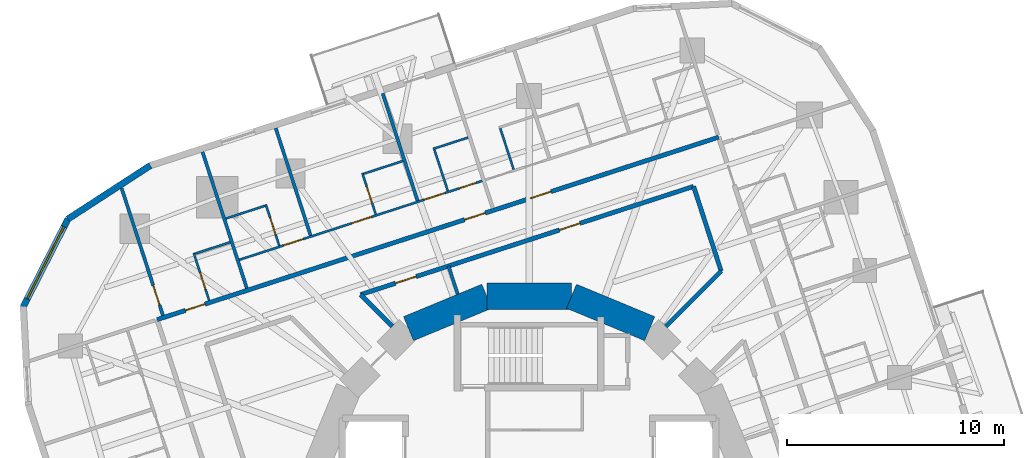
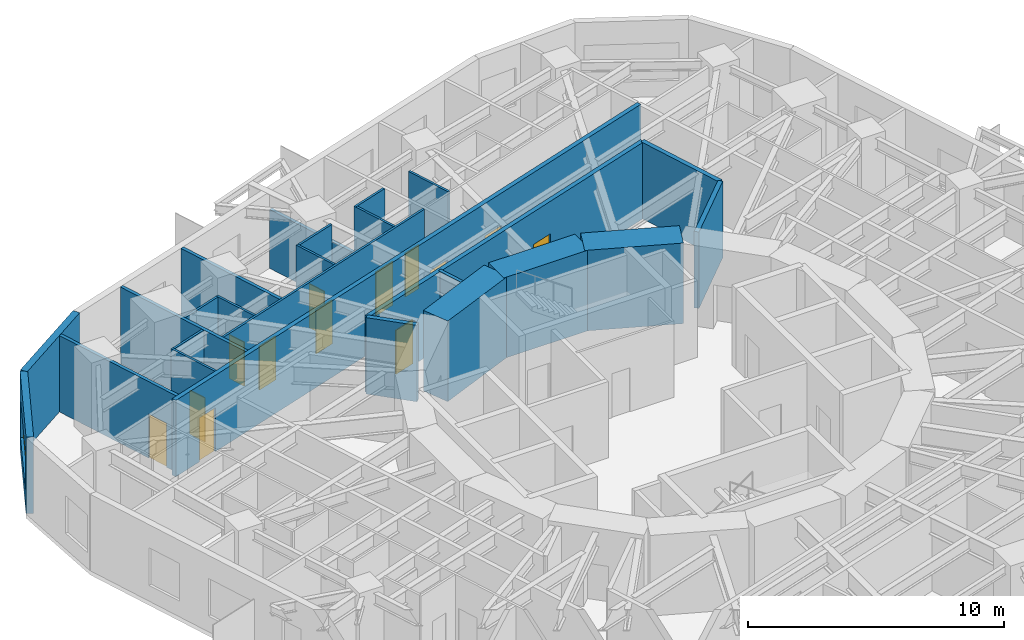
# One storey, part 9 of 13: 25 walls, 13 doors, 1 window, 14 openings.
"""IFC4 building model written with IfcOpenShell, lengths in metres."""

import ifcopenshell
import ifcopenshell.guid

model = None  # the IFC model being written
_history = None  # IfcOwnerHistory: only IFC2X3 demands one
_inside = {}  # id of a spatial element -> (the spatial element, [elements in it])
_under = {}  # id of a project, library or spatial element -> (it, [spatial elements below it])
_declared = {}  # id of a project -> (the project, [libraries it declares])
_typed = {}  # id of a type object -> (the type object, [elements of that type])
_made_of = {}  # id of a material, layer set ... -> (it, [elements and type objects made of it])


def new_model(schema):
    """Start an empty IFC model of exactly this schema.

    Asked for "IFC4X3", IfcOpenShell would pick the latest addendum, in which some entities
    have other attributes; the version numbers below select the first issue.
    IFC2X3 requires an IfcOwnerHistory on every rooted entity: one is made here for all.
    """
    global model, _history
    if schema == "IFC4X3":
        model = ifcopenshell.file(schema_version=(4, 3, 0, 0))
    else:
        model = ifcopenshell.file(schema=schema)
    _inside.clear()
    _under.clear()
    _declared.clear()
    _typed.clear()
    _made_of.clear()
    _history = None
    if model.schema == "IFC2X3":
        org = make("IfcOrganization", Name="unknown")
        user = make(
            "IfcPersonAndOrganization",
            ThePerson=make("IfcPerson", FamilyName="unknown"),
            TheOrganization=org,
        )
        app = make(
            "IfcApplication",
            ApplicationDeveloper=org,
            Version="unknown",
            ApplicationFullName="unknown",
            ApplicationIdentifier="unknown",
        )
        _history = make(
            "IfcOwnerHistory",
            OwningUser=user,
            OwningApplication=app,
            ChangeAction="ADDED",
            CreationDate=0,
        )
    return model


def make(cls, **values):
    """One entity of the class cls with the attributes given. An attribute that is None is left unset."""
    return model.create_entity(
        cls, **{name: value for name, value in values.items() if value is not None}
    )


def rooted(cls, **values):
    """An entity with a GlobalId (a new one), such as an element, a storey or a relation."""
    return make(cls, GlobalId=ifcopenshell.guid.new(), OwnerHistory=_history, **values)


def si_unit(unit_type, name, prefix=None):
    """IfcSIUnit, for example si_unit("LENGTHUNIT", "METRE", prefix="MILLI")."""
    return make("IfcSIUnit", UnitType=unit_type, Prefix=prefix, Name=name)


def assignment(units):
    """IfcUnitAssignment: the units of a project."""
    return None if units is None else make("IfcUnitAssignment", Units=units)


def point(xyz):
    """IfcCartesianPoint."""
    return None if xyz is None else make("IfcCartesianPoint", Coordinates=xyz)


def direction(xyz):
    """IfcDirection."""
    return None if xyz is None else make("IfcDirection", DirectionRatios=xyz)


def frame(location, z_axis=None, x_axis=None):
    """IfcAxis2Placement3D, a coordinate frame: its origin and axes. An axis left out is left unset."""
    return make(
        "IfcAxis2Placement3D",
        Location=point(location),
        Axis=direction(z_axis),
        RefDirection=direction(x_axis),
    )


def frame_2d(location, x_axis=None):
    """IfcAxis2Placement2D, a coordinate frame in the plane: its origin and x axis."""
    return make(
        "IfcAxis2Placement2D", Location=point(location), RefDirection=direction(x_axis)
    )


def origin():
    """The frame at (0, 0, 0) with its axes left unset."""
    return frame((0.0, 0.0, 0.0))


def place(relative_to, where):
    """IfcLocalPlacement: puts the frame where relative to a parent placement (None: the world)."""
    return make(
        "IfcLocalPlacement", PlacementRelTo=relative_to, RelativePlacement=where
    )


def context(
    kind, dimensions, precision=None, world=None, true_north=None, identifier=None
):
    """IfcGeometricRepresentationContext, for example the 3D "Model" context."""
    return make(
        "IfcGeometricRepresentationContext",
        ContextIdentifier=identifier,
        ContextType=kind,
        CoordinateSpaceDimension=dimensions,
        Precision=precision,
        WorldCoordinateSystem=world,
        TrueNorth=true_north,
    )


def subcontext(parent, identifier, kind, view, scale=None):
    """IfcGeometricRepresentationSubContext, for example "Body" below "Model"."""
    return make(
        "IfcGeometricRepresentationSubContext",
        ContextIdentifier=identifier,
        ContextType=kind,
        ParentContext=parent,
        TargetScale=scale,
        TargetView=view,
    )


def project(units=None, contexts=None):
    """IfcProject with its units and contexts."""
    return rooted(
        "IfcProject",
        Name="project",
        RepresentationContexts=contexts,
        UnitsInContext=assignment(units),
    )


def spatial(cls, under=None, at=None, **own):
    """A site, building, storey or space (cls), placed at a placement, below another one or the project."""
    s = rooted(cls, ObjectPlacement=at, **own)
    if under is not None:
        _under.setdefault(under.id(), (under, []))[1].append(s)
    return s


def profile(cls, at=None, kind="AREA", **sizes):
    """A parametric profile (cls). Its sizes go by their IFC names, for example OverallWidth=200.0."""
    return make(cls, ProfileType=kind, Position=at, **sizes)


def rectangle(**sizes):
    """IfcRectangleProfileDef."""
    return profile("IfcRectangleProfileDef", **sizes)


def extrude(swept, where, along, depth):
    """IfcExtrudedAreaSolid: the profile swept, set in the frame where, extruded along a direction by depth."""
    return make(
        "IfcExtrudedAreaSolid",
        SweptArea=swept,
        Position=where,
        ExtrudedDirection=direction(along),
        Depth=depth,
    )


def shape(context_of_items, identifier, shape_type, items):
    """IfcShapeRepresentation: the items that make up one representation, for example the "Body"."""
    return make(
        "IfcShapeRepresentation",
        ContextOfItems=context_of_items,
        RepresentationIdentifier=identifier,
        RepresentationType=shape_type,
        Items=items,
    )


def material(Name=None, Category=None):
    """IfcMaterial."""
    return make("IfcMaterial", Name=Name, Category=Category)


def layer(
    of_material, thickness, ventilated=None, Name=None, Category=None, Priority=None
):
    """IfcMaterialLayer: one layer of a wall or slab, of a material (None: an air gap)."""
    return make(
        "IfcMaterialLayer",
        Material=of_material,
        LayerThickness=thickness,
        IsVentilated=ventilated,
        Name=Name,
        Category=Category,
        Priority=Priority,
    )


def layer_set(layers, Name=None):
    """IfcMaterialLayerSet."""
    return make("IfcMaterialLayerSet", MaterialLayers=layers, LayerSetName=Name)


def made_of(thing, what):
    """Note that an element or type object is made of a material, layer set ...; save() writes the relation."""
    if what is not None:
        _made_of.setdefault(what.id(), (what, []))[1].append(thing)
    return thing


def type_object(cls, material=None, **own):
    """A type object (cls), such as IfcWallType, which elements share."""
    return made_of(rooted(cls, **own), material)


def element(
    cls,
    number,
    at=None,
    inside=None,
    cuts=None,
    type_object=None,
    material=None,
    context=None,
    identifier="Body",
    shape_type=None,
    held_by="IfcProductDefinitionShape",
    body=None,
    shapes=None,
    **own,
):
    """One element of the class cls, such as IfcWall. Its Tag is "e" and its number.

    at: its placement. inside: the storey or other place that contains it. cuts: it is an
    opening in that element (IfcRelVoidsElement). A single representation is given by context,
    identifier, shape_type and body (its items); several are given by shapes. held_by: the class
    of the entity that holds the representations. save() writes the other relations.
    """
    e = rooted(cls, Tag="e%d" % number, ObjectPlacement=at, **own)
    if body is not None:
        shapes = [shape(context, identifier, shape_type, body)]
    if shapes is not None:
        e.Representation = make(held_by, Representations=shapes)
    if inside is not None:
        _inside.setdefault(inside.id(), (inside, []))[1].append(e)
    if cuts is not None:
        rooted(
            "IfcRelVoidsElement", RelatingBuildingElement=cuts, RelatedOpeningElement=e
        )
    if type_object is not None:
        _typed.setdefault(type_object.id(), (type_object, []))[1].append(e)
    return made_of(e, material)


def fill(opening, filler):
    """IfcRelFillsElement: the door or window that sits in an opening."""
    return rooted(
        "IfcRelFillsElement",
        RelatingOpeningElement=opening,
        RelatedBuildingElement=filler,
    )


def aggregate(whole, parts):
    """IfcRelAggregates: a whole, such as a stair, and the parts it consists of."""
    return rooted("IfcRelAggregates", RelatingObject=whole, RelatedObjects=parts)


def save(model, path):
    """Write the relations noted so far, then the file.

    IfcRelAggregates (storeys below a building ...), IfcRelContainedInSpatialStructure (elements
    in a storey), IfcRelDefinesByType, IfcRelAssociatesMaterial and IfcRelDeclares: one each for
    every whole, place, type object, material and project.
    """
    for whole, parts in _under.values():
        aggregate(whole, parts)
    for where, things in _inside.values():
        rooted(
            "IfcRelContainedInSpatialStructure",
            RelatedElements=things,
            RelatingStructure=where,
        )
    for kind, things in _typed.values():
        rooted("IfcRelDefinesByType", RelatedObjects=things, RelatingType=kind)
    for what, things in _made_of.values():
        rooted("IfcRelAssociatesMaterial", RelatedObjects=things, RelatingMaterial=what)
    for by, libraries in _declared.values():
        rooted("IfcRelDeclares", RelatingContext=by, RelatedDefinitions=libraries)
    model.write(path)


model = new_model("IFC4")

# Units and contexts
model_context = context("Model", 3, precision=1e-05, world=origin(), true_north=direction((0.0, 1.0)))
body_context = subcontext(model_context, "Body", "Model", "MODEL_VIEW")
ifc_project = project(units=[si_unit("LENGTHUNIT", "METRE"), si_unit("AREAUNIT", "SQUARE_METRE"), si_unit("VOLUMEUNIT", "CUBIC_METRE"), si_unit("PLANEANGLEUNIT", "RADIAN"), si_unit("MASSUNIT", "GRAM", prefix="KILO")], contexts=[model_context])

# Site, building, storey
site_placement = place(None, origin())
site = spatial("IfcSite", under=ifc_project, at=site_placement, CompositionType="ELEMENT")
building_placement = place(site_placement, origin())
building = spatial("IfcBuilding", under=site, at=building_placement, Name="Nakasero Lantern House", CompositionType="ELEMENT")
storey_placement = place(building_placement, frame((0.0, 0.0, 164.89990234375)))
storey = spatial("IfcBuildingStorey", under=building, at=storey_placement, Name="L40", CompositionType="ELEMENT", Elevation=164.89990234375)

# Wall, openings, doors
ifc_material_1 = material(Name="Blockwork", Category="masonry")
ifc_layer_1 = layer(ifc_material_1, 0.10009765625)
ifc_layer_set_1 = layer_set([ifc_layer_1], Name="Cluster hall wall 100")
wall_type_1 = type_object("IfcWallType", Name="Cluster hall wall 100", PredefinedType="PARTITIONING", material=ifc_layer_set_1)
wall_1_placement = place(storey_placement, frame((-2.161865234375, 15.1220703125, 0.0), z_axis=(0.0, 0.0, 1.0), x_axis=(-0.9510590769, -0.309009113534, 0.0)))
wall_1 = element("IfcWall", 1, at=wall_1_placement, inside=storey, type_object=wall_type_1, Name="Cluster hall wall L40 HW1-1", PredefinedType="PARTITIONING", context=body_context, shape_type="SweptSolid", body=[
    extrude(rectangle(XDim=11.76416015625, YDim=0.10009765625, at=frame_2d((5.882080078125, 0.0))), origin(), (0.0, 0.0, 1.0), 3.650146484375),
])
opening_1_placement = place(wall_1_placement, frame((1.81396484375, 0.0, 0.0)))
opening_1 = element("IfcOpeningElement", 2, at=opening_1_placement, cuts=wall_1, Name="Opening D03", PredefinedType="OPENING", context=body_context, shape_type="SweptSolid", body=[
    extrude(rectangle(XDim=1.0, YDim=2.10009765625, at=frame_2d((0.5, 1.050048828125))), frame((0.0, 0.070068359375, 0.0), z_axis=(0.0, -1.0, 0.0), x_axis=(1.0, 0.0, 0.0)), (0.0, 0.0, 1.0), 0.14013671875),
])
opening_2_placement = place(wall_1_placement, frame((0.300048828125, 0.0, 0.0)))
opening_2 = element("IfcOpeningElement", 3, at=opening_2_placement, cuts=wall_1, Name="Opening D02", PredefinedType="OPENING", context=body_context, shape_type="SweptSolid", body=[
    extrude(rectangle(XDim=0.800048828125, YDim=2.10009765625, at=frame_2d((0.39990234375, 1.050048828125))), frame((0.0, 0.070068359375, 0.0), z_axis=(0.0, -1.0, 0.0), x_axis=(1.0, 0.0, 0.0)), (0.0, 0.0, 1.0), 0.14013671875),
])
opening_3_placement = place(wall_1_placement, frame((5.364013671875, 0.0, 0.0)))
opening_3 = element("IfcOpeningElement", 4, at=opening_3_placement, cuts=wall_1, Name="Opening D01", PredefinedType="OPENING", context=body_context, shape_type="SweptSolid", body=[
    extrude(rectangle(XDim=0.949951171875, YDim=2.10009765625, at=frame_2d((0.47509765625, 1.050048828125))), frame((0.0, 0.070068359375, 0.0), z_axis=(0.0, -1.0, 0.0), x_axis=(1.0, 0.0, 0.0)), (0.0, 0.0, 1.0), 0.14013671875),
])
opening_4_placement = place(wall_1_placement, frame((8.670166015625, 0.0, 0.0)))
opening_4 = element("IfcOpeningElement", 5, at=opening_4_placement, cuts=wall_1, Name="Opening D01", PredefinedType="OPENING", context=body_context, shape_type="SweptSolid", body=[
    extrude(rectangle(XDim=0.949951171875, YDim=2.10009765625, at=frame_2d((0.47509765625, 1.050048828125))), frame((0.0, 0.070068359375, 0.0), z_axis=(0.0, -1.0, 0.0), x_axis=(1.0, 0.0, 0.0)), (0.0, 0.0, 1.0), 0.14013671875),
])
ifc_material_2 = material(Name="Timber C24", Category="wood")
door_type_1 = type_object("IfcDoorType", Name="Bedroom door FD30S 950", OperationType="SINGLE_SWING_LEFT", PredefinedType="DOOR", material=ifc_material_2)
door_1_placement = place(opening_3_placement, origin())
door_1 = element("IfcDoor", 6, at=door_1_placement, inside=storey, type_object=door_type_1, Name="Door L40 D1-04", OperationType="SINGLE_SWING_LEFT", OverallHeight=2.10009765625, OverallWidth=0.949951171875, PredefinedType="DOOR", context=body_context, shape_type="SweptSolid", body=[
    extrude(rectangle(XDim=0.949951171875, YDim=2.10009765625, at=frame_2d((0.47509765625, 1.050048828125))), frame((0.0, 0.02490234375, 0.0), z_axis=(0.0, -1.0, 0.0), x_axis=(1.0, 0.0, 0.0)), (0.0, 0.0, 1.0), 0.050048828125),
])
fill(opening_3, door_1)
door_2_placement = place(opening_4_placement, origin())
door_2 = element("IfcDoor", 7, at=door_2_placement, inside=storey, type_object=door_type_1, Name="Door L40 D1-05", OperationType="SINGLE_SWING_RIGHT", OverallHeight=2.10009765625, OverallWidth=0.949951171875, PredefinedType="DOOR", context=body_context, shape_type="SweptSolid", body=[
    extrude(rectangle(XDim=0.949951171875, YDim=2.10009765625, at=frame_2d((0.47509765625, 1.050048828125))), frame((0.0, 0.02490234375, 0.0), z_axis=(0.0, -1.0, 0.0), x_axis=(1.0, 0.0, 0.0)), (0.0, 0.0, 1.0), 0.050048828125),
])
fill(opening_4, door_2)
ifc_material_3 = material(Name="Timber C24", Category="wood")
door_type_2 = type_object("IfcDoorType", Name="En-suite door 800", OperationType="SINGLE_SWING_RIGHT", PredefinedType="DOOR", material=ifc_material_3)
door_3_placement = place(opening_2_placement, origin())
door_3 = element("IfcDoor", 8, at=door_3_placement, inside=storey, type_object=door_type_2, Name="Door L40 DSH1-1", OperationType="SINGLE_SWING_LEFT", OverallHeight=2.10009765625, OverallWidth=0.800048828125, PredefinedType="DOOR", context=body_context, shape_type="SweptSolid", body=[
    extrude(rectangle(XDim=0.800048828125, YDim=2.10009765625, at=frame_2d((0.39990234375, 1.050048828125))), frame((0.0, 0.02490234375, 0.0), z_axis=(0.0, -1.0, 0.0), x_axis=(1.0, 0.0, 0.0)), (0.0, 0.0, 1.0), 0.050048828125),
])
fill(opening_2, door_3)
ifc_material_4 = material(Name="Timber C24", Category="wood")
door_type_3 = type_object("IfcDoorType", Name="Lounge door FD30S 1000", OperationType="SINGLE_SWING_LEFT", PredefinedType="DOOR", material=ifc_material_4)
door_4_placement = place(opening_1_placement, origin())
door_4 = element("IfcDoor", 9, at=door_4_placement, inside=storey, type_object=door_type_3, Name="Door L40 DH1-1", OperationType="SINGLE_SWING_LEFT", OverallHeight=2.10009765625, OverallWidth=1.0, PredefinedType="DOOR", context=body_context, shape_type="SweptSolid", body=[
    extrude(rectangle(XDim=1.0, YDim=2.10009765625, at=frame_2d((0.5, 1.050048828125))), frame((0.0, 0.02490234375, 0.0), z_axis=(0.0, -1.0, 0.0), x_axis=(1.0, 0.0, 0.0)), (0.0, 0.0, 1.0), 0.050048828125),
])
fill(opening_1, door_4)

# Walls
ifc_material_5 = material(Name="Concrete C50/60", Category="concrete")
ifc_layer_2 = layer(ifc_material_5, 1.199951171875)
ifc_layer_set_2 = layer_set([ifc_layer_2], Name="Core wall 1200")
wall_type_2 = type_object("IfcWallType", Name="Core wall 1200", PredefinedType="SHEAR", material=ifc_layer_set_2)
for number, where, z_axis, x_axis, name in (
    (10, (5.5556640625, 8.314697265625, 0.0), (0.0, 0.0, 1.0), (-0.923876507187, 0.382690736062, 0.0), "Core wall L40 facet 3"),
    (11, (1.950927734375, 9.807861328125, 0.0), (0.0, 0.0, 1.0), (-1.0, 0.0, 0.0), "Core wall L40 facet 4"),
    (12, (-1.950927734375, 9.807861328125, 0.0), (0.0, 0.0, 1.0), (-0.923876507187, -0.382690736062, 0.0), "Core wall L40 facet 5"),
):
    element("IfcWall", number, at=place(storey_placement, frame(where, z_axis=z_axis, x_axis=x_axis)), inside=storey, type_object=wall_type_2, Name=name, PredefinedType="SHEAR", context=body_context, shape_type="SweptSolid", body=[
        extrude(rectangle(XDim=3.90185546875, YDim=1.199951171875, at=frame_2d((1.950927734375, 0.0))), origin(), (0.0, 0.0, 1.0), 3.85009765625),
    ])

# Wall, openings, doors
ifc_material_6 = material(Name="Blockwork", Category="masonry")
ifc_layer_3 = layer(ifc_material_6, 0.199951171875)
ifc_layer_set_3 = layer_set([ifc_layer_3], Name="Corridor wall 200")
wall_type_3 = type_object("IfcWallType", Name="Corridor wall 200", PredefinedType="PARTITIONING", material=ifc_layer_set_3)
wall_2_placement = place(storey_placement, frame((8.731689453125, 17.136962890625, 0.0), z_axis=(0.0, 0.0, 1.0), x_axis=(-0.951056097323, -0.309018283835, 0.0)))
wall_2 = element("IfcWall", 13, at=wall_2_placement, inside=storey, type_object=wall_type_3, Name="Corridor wall L40 CW1", PredefinedType="PARTITIONING", context=body_context, shape_type="SweptSolid", body=[
    extrude(rectangle(XDim=27.199951171875, YDim=0.199951171875, at=frame_2d((13.60009765625, 0.0))), origin(), (0.0, 0.0, 1.0), 3.650146484375),
])
opening_5_placement = place(wall_2_placement, frame((8.118896484375, 0.0, 0.0)))
opening_5 = element("IfcOpeningElement", 14, at=opening_5_placement, cuts=wall_2, Name="Opening D14", PredefinedType="OPENING", context=body_context, shape_type="SweptSolid", body=[
    extrude(rectangle(XDim=1.0, YDim=2.10009765625, at=frame_2d((0.5, 1.050048828125))), frame((0.0, 0.119873046875, 0.0), z_axis=(0.0, -1.0, 0.0), x_axis=(1.0, 0.0, 0.0)), (0.0, 0.0, 1.0), 0.239990234375),
])
opening_6_placement = place(wall_2_placement, frame((11.30810546875, 0.0, 0.0)))
opening_6 = element("IfcOpeningElement", 15, at=opening_6_placement, cuts=wall_2, Name="Opening D14", PredefinedType="OPENING", context=body_context, shape_type="SweptSolid", body=[
    extrude(rectangle(XDim=1.0, YDim=2.10009765625, at=frame_2d((0.5, 1.050048828125))), frame((0.0, 0.119873046875, 0.0), z_axis=(0.0, -1.0, 0.0), x_axis=(1.0, 0.0, 0.0)), (0.0, 0.0, 1.0), 0.239990234375),
])
opening_7_placement = place(wall_2_placement, frame((24.872314453125, 0.0, 0.0)))
opening_7 = element("IfcOpeningElement", 16, at=opening_7_placement, cuts=wall_2, Name="Opening D01", PredefinedType="OPENING", context=body_context, shape_type="SweptSolid", body=[
    extrude(rectangle(XDim=0.949951171875, YDim=2.10009765625, at=frame_2d((0.47509765625, 1.050048828125))), frame((0.0, 0.119873046875, 0.0), z_axis=(0.0, -1.0, 0.0), x_axis=(1.0, 0.0, 0.0)), (0.0, 0.0, 1.0), 0.239990234375),
])
door_5_placement = place(opening_7_placement, origin())
door_5 = element("IfcDoor", 17, at=door_5_placement, inside=storey, type_object=door_type_1, Name="Door L40 D1-06", OperationType="SINGLE_SWING_RIGHT", OverallHeight=2.10009765625, OverallWidth=0.949951171875, PredefinedType="DOOR", context=body_context, shape_type="SweptSolid", body=[
    extrude(rectangle(XDim=0.949951171875, YDim=2.10009765625, at=frame_2d((0.47509765625, 1.050048828125))), frame((0.0, 0.02490234375, 0.0), z_axis=(0.0, -1.0, 0.0), x_axis=(1.0, 0.0, 0.0)), (0.0, 0.0, 1.0), 0.050048828125),
])
fill(opening_7, door_5)
ifc_material_7 = material(Name="Timber C24", Category="wood")
door_type_4 = type_object("IfcDoorType", Name="Cluster entrance door FD30S 1000", OperationType="SINGLE_SWING_LEFT", PredefinedType="DOOR", material=ifc_material_7)
door_6_placement = place(opening_5_placement, origin())
door_6 = element("IfcDoor", 18, at=door_6_placement, inside=storey, type_object=door_type_4, Name="Door L40 DF1-0", OperationType="SINGLE_SWING_LEFT", OverallHeight=2.10009765625, OverallWidth=1.0, PredefinedType="DOOR", context=body_context, shape_type="SweptSolid", body=[
    extrude(rectangle(XDim=1.0, YDim=2.10009765625, at=frame_2d((0.5, 1.050048828125))), frame((0.0, 0.02490234375, 0.0), z_axis=(0.0, -1.0, 0.0), x_axis=(1.0, 0.0, 0.0)), (0.0, 0.0, 1.0), 0.050048828125),
])
fill(opening_5, door_6)
door_7_placement = place(opening_6_placement, origin())
door_7 = element("IfcDoor", 19, at=door_7_placement, inside=storey, type_object=door_type_4, Name="Door L40 DF1-1", OperationType="SINGLE_SWING_LEFT", OverallHeight=2.10009765625, OverallWidth=1.0, PredefinedType="DOOR", context=body_context, shape_type="SweptSolid", body=[
    extrude(rectangle(XDim=1.0, YDim=2.10009765625, at=frame_2d((0.5, 1.050048828125))), frame((0.0, 0.02490234375, 0.0), z_axis=(0.0, -1.0, 0.0), x_axis=(1.0, 0.0, 0.0)), (0.0, 0.0, 1.0), 0.050048828125),
])
fill(opening_6, door_7)

# Wall
wall_3_placement = place(storey_placement, frame((8.84423828125, 10.965576171875, 0.0), z_axis=(0.0, 0.0, 1.0), x_axis=(-0.308973082722, 0.951070782935, 0.0)))
element("IfcWall", 20, at=wall_3_placement, inside=storey, type_object=wall_type_3, Name="Corridor wall L40 IW0-1", PredefinedType="PARTITIONING", context=body_context, shape_type="SweptSolid", body=[
    extrude(rectangle(XDim=4.104248046875, YDim=0.199951171875, at=frame_2d((2.05224609375, 0.0))), origin(), (0.0, 0.0, 1.0), 3.650146484375),
])

# Wall, openings, doors
wall_4_placement = place(storey_placement, frame((7.576171875, 14.868896484375, 0.0), z_axis=(0.0, 0.0, 1.0), x_axis=(-0.951056647235, -0.309016591385, 0.0)))
wall_4 = element("IfcWall", 21, at=wall_4_placement, inside=storey, type_object=wall_type_3, Name="Corridor wall L40 IW1-0", PredefinedType="PARTITIONING", context=body_context, shape_type="SweptSolid", body=[
    extrude(rectangle(XDim=16.12890625, YDim=0.199951171875, at=frame_2d((8.064453125, 0.0))), origin(), (0.0, 0.0, 1.0), 3.650146484375),
])
opening_8_placement = place(wall_4_placement, frame((5.49755859375, 0.0, 0.0)))
opening_8 = element("IfcOpeningElement", 22, at=opening_8_placement, cuts=wall_4, Name="Opening D07", PredefinedType="OPENING", context=body_context, shape_type="SweptSolid", body=[
    extrude(rectangle(XDim=1.0, YDim=2.10009765625, at=frame_2d((0.5, 1.050048828125))), frame((0.0, 0.119873046875, 0.0), z_axis=(0.0, -1.0, 0.0), x_axis=(1.0, 0.0, 0.0)), (0.0, 0.0, 1.0), 0.239990234375),
])
opening_9_placement = place(wall_4_placement, frame((13.43701171875, 0.0, 0.0)))
opening_9 = element("IfcOpeningElement", 23, at=opening_9_placement, cuts=wall_4, Name="Opening D07", PredefinedType="OPENING", context=body_context, shape_type="SweptSolid", body=[
    extrude(rectangle(XDim=1.0, YDim=2.10009765625, at=frame_2d((0.5, 1.050048828125))), frame((0.0, 0.119873046875, 0.0), z_axis=(0.0, -1.0, 0.0), x_axis=(1.0, 0.0, 0.0)), (0.0, 0.0, 1.0), 0.239990234375),
])
ifc_material_8 = material(Name="Timber C24", Category="wood")
door_type_5 = type_object("IfcDoorType", Name="Room door FD30S 1000", OperationType="SINGLE_SWING_LEFT", PredefinedType="DOOR", material=ifc_material_8)
door_8_placement = place(opening_8_placement, origin())
door_8 = element("IfcDoor", 24, at=door_8_placement, inside=storey, type_object=door_type_5, Name="Door L40 DI6", OperationType="SINGLE_SWING_LEFT", OverallHeight=2.10009765625, OverallWidth=1.0, PredefinedType="DOOR", context=body_context, shape_type="SweptSolid", body=[
    extrude(rectangle(XDim=1.0, YDim=2.10009765625, at=frame_2d((0.5, 1.050048828125))), frame((0.0, 0.02490234375, 0.0), z_axis=(0.0, -1.0, 0.0), x_axis=(1.0, 0.0, 0.0)), (0.0, 0.0, 1.0), 0.050048828125),
])
fill(opening_8, door_8)
door_9_placement = place(opening_9_placement, origin())
door_9 = element("IfcDoor", 25, at=door_9_placement, inside=storey, type_object=door_type_5, Name="Door L40 DI7", OperationType="SINGLE_SWING_RIGHT", OverallHeight=2.10009765625, OverallWidth=1.0, PredefinedType="DOOR", context=body_context, shape_type="SweptSolid", body=[
    extrude(rectangle(XDim=1.0, YDim=2.10009765625, at=frame_2d((0.5, 1.050048828125))), frame((0.0, 0.02490234375, 0.0), z_axis=(0.0, -1.0, 0.0), x_axis=(1.0, 0.0, 0.0)), (0.0, 0.0, 1.0), 0.050048828125),
])
fill(opening_9, door_9)

# Walls
wall_5_placement = place(storey_placement, frame((6.298828125, 8.420166015625, 0.0), z_axis=(0.0, 0.0, 1.0), x_axis=(0.707106781187, 0.707106781187, 0.0)))
element("IfcWall", 26, at=wall_5_placement, inside=storey, type_object=wall_type_3, Name="Corridor wall L40 PS02a", PredefinedType="PARTITIONING", context=body_context, shape_type="SweptSolid", body=[
    extrude(rectangle(XDim=3.599853515625, YDim=0.199951171875, at=frame_2d((1.7998046875, 0.0))), origin(), (0.0, 0.0, 1.0), 3.650146484375),
])
wall_6_placement = place(storey_placement, frame((-6.298828125, 8.420166015625, 0.0), z_axis=(0.0, 0.0, 1.0), x_axis=(-0.707106781187, 0.707106781187, 0.0)))
element("IfcWall", 27, at=wall_6_placement, inside=storey, type_object=wall_type_3, Name="Corridor wall L40 PS06b", PredefinedType="PARTITIONING", context=body_context, shape_type="SweptSolid", body=[
    extrude(rectangle(XDim=2.0712890625, YDim=0.199951171875, at=frame_2d((1.03564453125, 0.0))), origin(), (0.0, 0.0, 1.0), 3.650146484375),
])
ifc_material_9 = material(Name="Blockwork", Category="masonry")
ifc_layer_4 = layer(ifc_material_9, 0.10009765625)
ifc_layer_set_4 = layer_set([ifc_layer_4], Name="En-suite wall 100")
wall_type_4 = type_object("IfcWallType", Name="En-suite wall 100", PredefinedType="PARTITIONING", material=ifc_layer_set_4)
for number, where, z_axis, x_axis, name in (
    (28, (-0.713623046875, 15.645263671875, 0.0), (0.0, 0.0, 1.0), (-0.308999325213, 0.951062257173, 0.0), "En-suite wall L40 SS1-0"),
    (29, (-3.74658203125, 14.65966796875, 0.0), (0.0, 0.0, 1.0), (-0.308999325213, 0.951062257173, 0.0), "En-suite wall L40 SS1-1"),
):
    element("IfcWall", number, at=place(storey_placement, frame(where, z_axis=z_axis, x_axis=x_axis)), inside=storey, type_object=wall_type_4, Name=name, PredefinedType="PARTITIONING", context=body_context, shape_type="SweptSolid", body=[
        extrude(rectangle(XDim=2.10009765625, YDim=0.10009765625, at=frame_2d((1.050048828125, 0.0))), origin(), (0.0, 0.0, 1.0), 3.650146484375),
    ])
wall_7_placement = place(storey_placement, frame((-2.810791015625, 17.119384765625, 0.0), z_axis=(0.0, 0.0, 1.0), x_axis=(-0.951040401051, -0.309066587596, 0.0)))
element("IfcWall", 30, at=wall_7_placement, inside=storey, type_object=wall_type_4, Name="En-suite wall L40 SE1-1", PredefinedType="PARTITIONING", context=body_context, shape_type="SweptSolid", body=[
    extrude(rectangle(XDim=1.699951171875, YDim=0.10009765625, at=frame_2d((0.85009765625, 0.0))), origin(), (0.0, 0.0, 1.0), 3.650146484375),
])

# Wall, opening, door
wall_8_placement = place(storey_placement, frame((-7.064697265625, 13.58154296875, 0.0), z_axis=(0.0, 0.0, 1.0), x_axis=(-0.309077791808, 0.951036759863, 0.0)))
wall_8 = element("IfcWall", 31, at=wall_8_placement, inside=storey, type_object=wall_type_4, Name="En-suite wall L40 ES1-04", PredefinedType="PARTITIONING", context=body_context, shape_type="SweptSolid", body=[
    extrude(rectangle(XDim=2.0, YDim=0.10009765625, at=frame_2d((1.0, 0.0))), origin(), (0.0, 0.0, 1.0), 3.650146484375),
])
opening_10_placement = place(wall_8_placement, frame((0.550048828125, 0.0, 0.0)))
opening_10 = element("IfcOpeningElement", 32, at=opening_10_placement, cuts=wall_8, Name="Opening D02", PredefinedType="OPENING", context=body_context, shape_type="SweptSolid", body=[
    extrude(rectangle(XDim=0.800048828125, YDim=2.10009765625, at=frame_2d((0.39990234375, 1.050048828125))), frame((0.0, 0.070068359375, 0.0), z_axis=(0.0, -1.0, 0.0), x_axis=(1.0, 0.0, 0.0)), (0.0, 0.0, 1.0), 0.14013671875),
])
door_10_placement = place(opening_10_placement, origin())
door_10 = element("IfcDoor", 33, at=door_10_placement, inside=storey, type_object=door_type_2, Name="Door L40 DE1-04", OperationType="SINGLE_SWING_LEFT", OverallHeight=2.10009765625, OverallWidth=0.800048828125, PredefinedType="DOOR", context=body_context, shape_type="SweptSolid", body=[
    extrude(rectangle(XDim=0.800048828125, YDim=2.10009765625, at=frame_2d((0.39990234375, 1.050048828125))), frame((0.0, 0.02490234375, 0.0), z_axis=(0.0, -1.0, 0.0), x_axis=(1.0, 0.0, 0.0)), (0.0, 0.0, 1.0), 0.050048828125),
])
fill(opening_10, door_10)

# Wall
wall_9_placement = place(storey_placement, frame((-5.812744140625, 16.038818359375, 0.0), z_axis=(0.0, 0.0, 1.0), x_axis=(-0.951058615481, -0.309010533671, 0.0)))
element("IfcWall", 34, at=wall_9_placement, inside=storey, type_object=wall_type_4, Name="En-suite wall L40 EE1-04", PredefinedType="PARTITIONING", context=body_context, shape_type="SweptSolid", body=[
    extrude(rectangle(XDim=1.900146484375, YDim=0.10009765625, at=frame_2d((0.9501953125, 0.0))), origin(), (0.0, 0.0, 1.0), 3.650146484375),
])

# Wall, opening, door
wall_10_placement = place(storey_placement, frame((-11.51123046875, 12.13671875, 0.0), z_axis=(0.0, 0.0, 1.0), x_axis=(-0.309041914367, 0.951048418938, 0.0)))
wall_10 = element("IfcWall", 35, at=wall_10_placement, inside=storey, type_object=wall_type_4, Name="En-suite wall L40 ES1-05", PredefinedType="PARTITIONING", context=body_context, shape_type="SweptSolid", body=[
    extrude(rectangle(XDim=2.000244140625, YDim=0.10009765625, at=frame_2d((1.0, 0.0))), origin(), (0.0, 0.0, 1.0), 3.650146484375),
])
opening_11_placement = place(wall_10_placement, frame((0.550048828125, 0.0, 0.0)))
opening_11 = element("IfcOpeningElement", 36, at=opening_11_placement, cuts=wall_10, Name="Opening D02", PredefinedType="OPENING", context=body_context, shape_type="SweptSolid", body=[
    extrude(rectangle(XDim=0.800048828125, YDim=2.10009765625, at=frame_2d((0.39990234375, 1.050048828125))), frame((0.0, 0.070068359375, 0.0), z_axis=(0.0, -1.0, 0.0), x_axis=(1.0, 0.0, 0.0)), (0.0, 0.0, 1.0), 0.14013671875),
])
door_11_placement = place(opening_11_placement, origin())
door_11 = element("IfcDoor", 37, at=door_11_placement, inside=storey, type_object=door_type_2, Name="Door L40 DE1-05", OperationType="SINGLE_SWING_LEFT", OverallHeight=2.10009765625, OverallWidth=0.800048828125, PredefinedType="DOOR", context=body_context, shape_type="SweptSolid", body=[
    extrude(rectangle(XDim=0.800048828125, YDim=2.10009765625, at=frame_2d((0.39990234375, 1.050048828125))), frame((0.0, 0.02490234375, 0.0), z_axis=(0.0, -1.0, 0.0), x_axis=(1.0, 0.0, 0.0)), (0.0, 0.0, 1.0), 0.050048828125),
])
fill(opening_11, door_11)

# Wall
wall_11_placement = place(storey_placement, frame((-12.161376953125, 13.975830078125, 0.0), z_axis=(0.0, 0.0, 1.0), x_axis=(-0.951096370469, -0.308894308917, 0.0)))
element("IfcWall", 38, at=wall_11_placement, inside=storey, type_object=wall_type_4, Name="En-suite wall L40 EE1-05", PredefinedType="PARTITIONING", context=body_context, shape_type="SweptSolid", body=[
    extrude(rectangle(XDim=1.900146484375, YDim=0.10009765625, at=frame_2d((0.9501953125, 0.0))), origin(), (0.0, 0.0, 1.0), 3.650146484375),
])

# Wall, opening, door
wall_12_placement = place(storey_placement, frame((-14.740234375, 9.61572265625, 0.0), z_axis=(0.0, 0.0, 1.0), x_axis=(-0.309021261611, 0.951055129775, 0.0)))
wall_12 = element("IfcWall", 39, at=wall_12_placement, inside=storey, type_object=wall_type_4, Name="En-suite wall L40 ES1-06", PredefinedType="PARTITIONING", context=body_context, shape_type="SweptSolid", body=[
    extrude(rectangle(XDim=2.2998046875, YDim=0.10009765625, at=frame_2d((1.14990234375, 0.0))), origin(), (0.0, 0.0, 1.0), 3.650146484375),
])
opening_12_placement = place(wall_12_placement, frame((0.550048828125, 0.0, 0.0)))
opening_12 = element("IfcOpeningElement", 40, at=opening_12_placement, cuts=wall_12, Name="Opening D02", PredefinedType="OPENING", context=body_context, shape_type="SweptSolid", body=[
    extrude(rectangle(XDim=0.800048828125, YDim=2.10009765625, at=frame_2d((0.39990234375, 1.050048828125))), frame((0.0, 0.070068359375, 0.0), z_axis=(0.0, -1.0, 0.0), x_axis=(1.0, 0.0, 0.0)), (0.0, 0.0, 1.0), 0.14013671875),
])
door_12_placement = place(opening_12_placement, origin())
door_12 = element("IfcDoor", 41, at=door_12_placement, inside=storey, type_object=door_type_2, Name="Door L40 DE1-06", OperationType="SINGLE_SWING_LEFT", OverallHeight=2.10009765625, OverallWidth=0.800048828125, PredefinedType="DOOR", context=body_context, shape_type="SweptSolid", body=[
    extrude(rectangle(XDim=0.800048828125, YDim=2.10009765625, at=frame_2d((0.39990234375, 1.050048828125))), frame((0.0, 0.02490234375, 0.0), z_axis=(0.0, -1.0, 0.0), x_axis=(1.0, 0.0, 0.0)), (0.0, 0.0, 1.0), 0.050048828125),
])
fill(opening_12, door_12)

# Walls
wall_13_placement = place(storey_placement, frame((-13.771240234375, 12.29638671875, 0.0), z_axis=(0.0, 0.0, 1.0), x_axis=(-0.951040401051, -0.309066587596, 0.0)))
element("IfcWall", 42, at=wall_13_placement, inside=storey, type_object=wall_type_4, Name="En-suite wall L40 EE1-06", PredefinedType="PARTITIONING", context=body_context, shape_type="SweptSolid", body=[
    extrude(rectangle(XDim=1.699951171875, YDim=0.10009765625, at=frame_2d((0.85009765625, 0.0))), origin(), (0.0, 0.0, 1.0), 3.650146484375),
])
ifc_material_10 = material(Name="Aluminium rainscreen on blockwork", Category="masonry")
ifc_layer_5 = layer(ifc_material_10, 0.300048828125)
ifc_layer_set_5 = layer_set([ifc_layer_5], Name="Facade wall 300")
wall_type_5 = type_object("IfcWallType", Name="Facade wall 300", PredefinedType="SOLIDWALL", material=ifc_layer_set_5)
wall_14_placement = place(storey_placement, frame((-17.44677734375, 15.83349609375, 0.0), z_axis=(0.0, 0.0, 1.0), x_axis=(-0.838673836229, -0.544634002266, 0.0)))
element("IfcWall", 43, at=wall_14_placement, inside=storey, type_object=wall_type_5, Name="Facade wall L40 FW1C1", PredefinedType="SOLIDWALL", context=body_context, shape_type="SweptSolid", body=[
    extrude(rectangle(XDim=4.529296875, YDim=0.300048828125, at=frame_2d((2.2646484375, 0.0))), origin(), (0.0, 0.0, 1.0), 3.650146484375),
])

# Wall, opening, window
wall_15_placement = place(storey_placement, frame((-21.245361328125, 13.36669921875, 0.0), z_axis=(0.0, 0.0, 1.0), x_axis=(-0.454013792196, -0.890994655705, 0.0)))
wall_15 = element("IfcWall", 44, at=wall_15_placement, inside=storey, type_object=wall_type_5, Name="Facade wall L40 FW1C2", PredefinedType="SOLIDWALL", context=body_context, shape_type="SweptSolid", body=[
    extrude(rectangle(XDim=4.529296875, YDim=0.300048828125, at=frame_2d((2.2646484375, 0.0))), origin(), (0.0, 0.0, 1.0), 3.650146484375),
])
opening_13_placement = place(wall_15_placement, frame((0.39990234375, 0.0, 0.75)))
opening_13 = element("IfcOpeningElement", 45, at=opening_13_placement, cuts=wall_15, Name="Opening W237A", PredefinedType="OPENING", context=body_context, shape_type="SweptSolid", body=[
    extrude(rectangle(XDim=3.72900390625, YDim=1.800048828125, at=frame_2d((1.864501953125, 0.89990234375))), frame((0.0, 0.169921875, 0.0), z_axis=(0.0, -1.0, 0.0), x_axis=(1.0, 0.0, 0.0)), (0.0, 0.0, 1.0), 0.340087890625),
])
ifc_material_11 = material(Name="Aluminium 6063-T6 and glass", Category="aluminium")
window_type = type_object("IfcWindowType", Name="Corner window 3729x1800", PartitioningType="SINGLE_PANEL", PredefinedType="WINDOW", material=ifc_material_11)
window_placement = place(opening_13_placement, origin())
window = element("IfcWindow", 46, at=window_placement, inside=storey, type_object=window_type, Name="Window L40 WC1", OverallHeight=1.800048828125, OverallWidth=3.72900390625, PartitioningType="SINGLE_PANEL", PredefinedType="WINDOW", context=body_context, shape_type="SweptSolid", body=[
    extrude(rectangle(XDim=3.72900390625, YDim=1.800048828125, at=frame_2d((1.864501953125, 0.89990234375))), frame((0.0, 0.030029296875, 0.0), z_axis=(0.0, -1.0, 0.0), x_axis=(1.0, 0.0, 0.0)), (0.0, 0.0, 1.0), 0.06005859375),
])
fill(opening_13, window)

# Walls
ifc_material_12 = material(Name="Blockwork", Category="masonry")
ifc_layer_6 = layer(ifc_material_12, 0.14990234375)
ifc_layer_set_6 = layer_set([ifc_layer_6], Name="Party wall 150")
wall_type_6 = type_object("IfcWallType", Name="Party wall 150", PredefinedType="PARTITIONING", material=ifc_layer_set_6)
wall_16_placement = place(storey_placement, frame((-5.138916015625, 14.207275390625, 0.0), z_axis=(0.0, 0.0, 1.0), x_axis=(-0.309021313752, 0.951055112834, 0.0)))
element("IfcWall", 47, at=wall_16_placement, inside=storey, type_object=wall_type_6, Name="Party wall L40 PW1-04", PredefinedType="PARTITIONING", context=body_context, shape_type="SweptSolid", body=[
    extrude(rectangle(XDim=5.2001953125, YDim=0.14990234375, at=frame_2d((2.60009765625, 0.0))), origin(), (0.0, 0.0, 1.0), 2.809326171875),
])
wall_17_placement = place(storey_placement, frame((-10.06640625, 12.606201171875, 0.0), z_axis=(0.0, 0.0, 1.0), x_axis=(-0.309021313752, 0.951055112834, 0.0)))
element("IfcWall", 48, at=wall_17_placement, inside=storey, type_object=wall_type_6, Name="Party wall L40 PW1-05", PredefinedType="PARTITIONING", context=body_context, shape_type="SweptSolid", body=[
    extrude(rectangle(XDim=5.2001953125, YDim=0.14990234375, at=frame_2d((2.60009765625, 0.0))), origin(), (0.0, 0.0, 1.0), 3.650146484375),
])
wall_18_placement = place(storey_placement, frame((-13.004638671875, 10.1796875, 0.0), z_axis=(0.0, 0.0, 1.0), x_axis=(-0.309027520945, 0.951053095941, 0.0)))
element("IfcWall", 49, at=wall_18_placement, inside=storey, type_object=wall_type_6, Name="Party wall L40 PW1-06", PredefinedType="PARTITIONING", context=body_context, shape_type="SweptSolid", body=[
    extrude(rectangle(XDim=6.599853515625, YDim=0.14990234375, at=frame_2d((3.2998046875, 0.0))), origin(), (0.0, 0.0, 1.0), 3.650146484375),
])

# Wall, opening, door
wall_19_placement = place(storey_placement, frame((-16.8662109375, 8.9248046875, 0.0), z_axis=(0.0, 0.0, 1.0), x_axis=(-0.309031452366, 0.951051818488, 0.0)))
wall_19 = element("IfcWall", 50, at=wall_19_placement, inside=storey, type_object=wall_type_6, Name="Party wall L40 PC1", PredefinedType="PARTITIONING", context=body_context, shape_type="SweptSolid", body=[
    extrude(rectangle(XDim=6.165283203125, YDim=0.14990234375, at=frame_2d((3.08251953125, 0.0))), origin(), (0.0, 0.0, 1.0), 3.650146484375),
])
opening_14_placement = place(wall_19_placement, frame((0.5, 0.0, 0.0)))
opening_14 = element("IfcOpeningElement", 51, at=opening_14_placement, cuts=wall_19, Name="Opening D01", PredefinedType="OPENING", context=body_context, shape_type="SweptSolid", body=[
    extrude(rectangle(XDim=0.949951171875, YDim=2.10009765625, at=frame_2d((0.47509765625, 1.050048828125))), frame((0.0, 0.094970703125, 0.0), z_axis=(0.0, -1.0, 0.0), x_axis=(1.0, 0.0, 0.0)), (0.0, 0.0, 1.0), 0.18994140625),
])
door_13_placement = place(opening_14_placement, origin())
door_13 = element("IfcDoor", 52, at=door_13_placement, inside=storey, type_object=door_type_1, Name="Door L40 DC1", OperationType="SINGLE_SWING_LEFT", OverallHeight=2.10009765625, OverallWidth=0.949951171875, PredefinedType="DOOR", context=body_context, shape_type="SweptSolid", body=[
    extrude(rectangle(XDim=0.949951171875, YDim=2.10009765625, at=frame_2d((0.47509765625, 1.050048828125))), frame((0.0, 0.02490234375, 0.0), z_axis=(0.0, -1.0, 0.0), x_axis=(1.0, 0.0, 0.0)), (0.0, 0.0, 1.0), 0.050048828125),
])
fill(opening_14, door_13)

# Wall
wall_20_placement = place(storey_placement, frame((-3.712890625, 11.200927734375, 0.0), z_axis=(0.0, 0.0, 1.0), x_axis=(0.308924371384, -0.951086606343, 0.0)))
element("IfcWall", 53, at=wall_20_placement, inside=storey, type_object=wall_type_6, Name="Party wall L40 IM1", PredefinedType="PARTITIONING", context=body_context, shape_type="SweptSolid", body=[
    extrude(rectangle(XDim=1.36572265625, YDim=0.14990234375, at=frame_2d((0.682861328125, 0.0))), origin(), (0.0, 0.0, 1.0), 3.650146484375),
])

save(model, "model.ifc")
